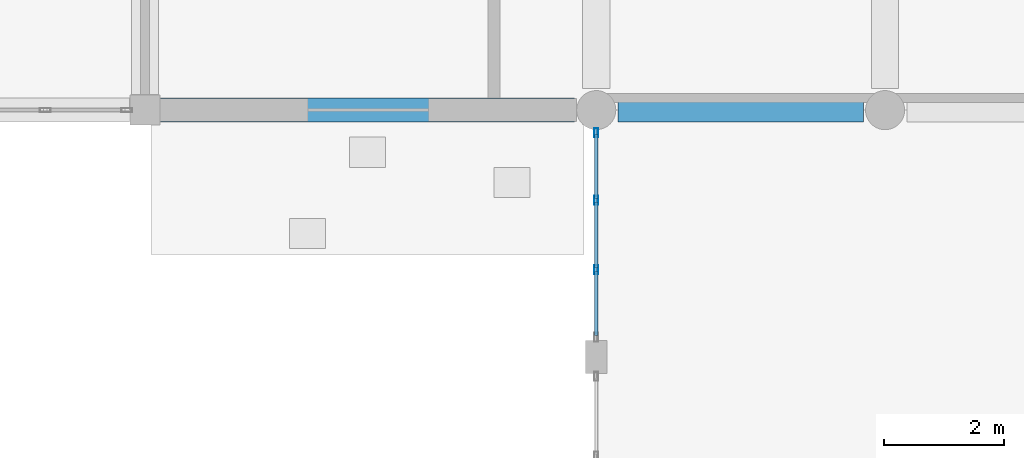
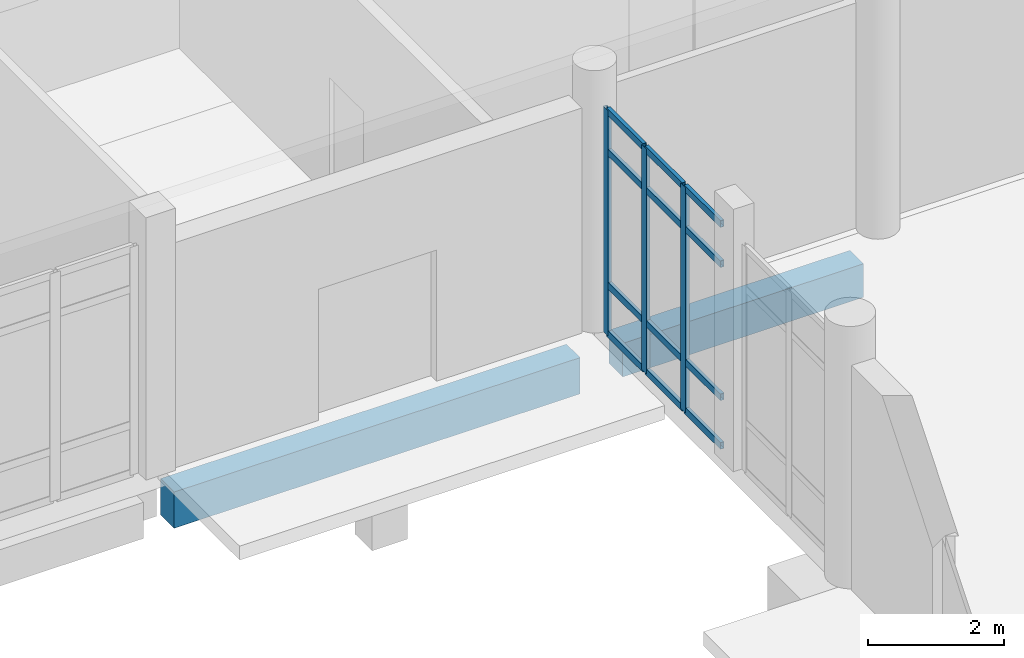
# One storey, part 65 of 173: 15 members, 2 beams, 1 element without a shape of its own.
"""IFC4 building model written with IfcOpenShell, lengths in metres."""

from ifc_helpers import new_model, si_unit, direction, frame, origin, origin_2d, place, context, subcontext, project, spatial, rectangle, hollow_rectangle, extrude, material, layer, layer_set, material_profile, profile_set, type_object, element, aggregate, save


model = new_model("IFC4")

# Units and contexts
model_context = context("Model", 3, precision=1e-05, world=origin(), true_north=direction((0.0, 1.0)))
body_context = subcontext(model_context, "Body", "Model", "MODEL_VIEW")
ifc_project = project(units=[si_unit("LENGTHUNIT", "METRE"), si_unit("AREAUNIT", "SQUARE_METRE"), si_unit("VOLUMEUNIT", "CUBIC_METRE"), si_unit("PLANEANGLEUNIT", "RADIAN"), si_unit("MASSUNIT", "GRAM", prefix="KILO")], contexts=[model_context])

# Site, building, storey
site_placement = place(None, origin())
site = spatial("IfcSite", under=ifc_project, at=site_placement, CompositionType="ELEMENT")
building_placement = place(site_placement, origin())
building = spatial("IfcBuilding", under=site, at=building_placement, Name="Mawjan Specialist Oncology Clinic", CompositionType="ELEMENT")
storey_placement = place(building_placement, origin())
storey = spatial("IfcBuildingStorey", under=building, at=storey_placement, Name="L00", CompositionType="ELEMENT", Elevation=0.0)

# Beam
ifc_material_1 = material(Name="Concrete C40/50", Category="concrete")
ifc_material_profile_1 = material_profile(ifc_material_1, rectangle(XDim=0.39990234375, YDim=0.60009765625, at=origin_2d()), Name="RC BM 400x600", Category="concrete")
ifc_profile_set_1 = profile_set([ifc_material_profile_1], Name="Concrete C40/50")
beam_type_1 = type_object("IfcBeamType", Name="BM-400x600", PredefinedType="BEAM", material=ifc_profile_set_1)
beam_1_placement = place(storey_placement, frame((60.360107421875, 75.800048828125, -0.719970703125), z_axis=(1.0, 0.0, 0.0), x_axis=(0.0, 1.0, 0.0)))
element("IfcBeam", 1, at=beam_1_placement, inside=storey, type_object=beam_type_1, Name="L00 Collector Beam BM-L00-0009", PredefinedType="BEAM", context=body_context, shape_type="SweptSolid", body=[
    extrude(rectangle(XDim=0.39990234375, YDim=0.60009765625, at=origin_2d()), origin(), (0.0, 0.0, 1.0), 4.079833984375),
])

# Curtain wall, members
ifc_material_2 = material(Name="Unitised spectrally selective aluminium curtain wall", Category="aluminium")
ifc_layer = layer(ifc_material_2, 0.179931640625, Name="Unitised spectrally selective aluminium curtain wall", Category="aluminium")
ifc_layer_set = layer_set([ifc_layer], Name="Unitised spectrally selective aluminium curtain wall")
curtain_wall_type = type_object("IfcCurtainWallType", Name="CW-25", PredefinedType="NOTDEFINED", material=ifc_layer_set)
curtain_wall_placement = place(storey_placement, origin())
curtain_wall = element("IfcCurtainWall", 2, at=curtain_wall_placement, inside=storey, type_object=curtain_wall_type, Name="L00 Unitised Curtain Wall CW-L00-043", PredefinedType="NOTDEFINED")
ifc_material_3 = material(Name="Thermally broken aluminium 6063-T6", Category="aluminium")
ifc_material_profile_2 = material_profile(ifc_material_3, hollow_rectangle(XDim=0.06005859375, YDim=0.14990234375, WallThickness=0.00390625, at=origin_2d()), Name="ALU MULLION 150x60x4", Category="aluminium")
ifc_profile_set_2 = profile_set([ifc_material_profile_2], Name="Thermally broken aluminium 6063-T6")
member_type_1 = type_object("IfcMemberType", Name="CW-M150", PredefinedType="MULLION", material=ifc_profile_set_2)
member_1_placement = place(storey_placement, frame((60.0, 73.1484375, 0.0), z_axis=(0.0, 0.0, 1.0), x_axis=(-1.0, 0.0, 0.0)))
member_1 = element("IfcMember", 3, at=member_1_placement, type_object=member_type_1, Name="CW-25 mullion 2", PredefinedType="MULLION", context=body_context, shape_type="SweptSolid", body=[
    extrude(hollow_rectangle(XDim=0.06005859375, YDim=0.14990234375, WallThickness=0.00390625, at=origin_2d()), origin(), (0.0, 0.0, 1.0), 4.034912109375),
])
member_2_placement = place(storey_placement, frame((60.0, 74.3017578125, 0.0), z_axis=(0.0, 0.0, 1.0), x_axis=(-1.0, 0.0, 0.0)))
member_2 = element("IfcMember", 4, at=member_2_placement, type_object=member_type_1, Name="CW-25 mullion 3", PredefinedType="MULLION", context=body_context, shape_type="SweptSolid", body=[
    extrude(hollow_rectangle(XDim=0.06005859375, YDim=0.14990234375, WallThickness=0.00390625, at=origin_2d()), origin(), (0.0, 0.0, 1.0), 4.034912109375),
])
member_3_placement = place(storey_placement, frame((60.0, 75.425048828125, 0.0), z_axis=(0.0, 0.0, 1.0), x_axis=(-1.0, 0.0, 0.0)))
member_3 = element("IfcMember", 5, at=member_3_placement, type_object=member_type_1, Name="CW-25 mullion 4", PredefinedType="MULLION", context=body_context, shape_type="SweptSolid", body=[
    extrude(hollow_rectangle(XDim=0.06005859375, YDim=0.14990234375, WallThickness=0.00390625, at=origin_2d()), origin(), (0.0, 0.0, 1.0), 4.034912109375),
])
ifc_material_4 = material(Name="Thermally broken aluminium 6063-T6", Category="aluminium")
ifc_material_profile_3 = material_profile(ifc_material_4, hollow_rectangle(XDim=0.06005859375, YDim=0.1201171875, WallThickness=0.00390625, at=origin_2d()), Name="ALU TRANSOM 120x60x4", Category="aluminium")
ifc_profile_set_3 = profile_set([ifc_material_profile_3], Name="Thermally broken aluminium 6063-T6")
member_type_2 = type_object("IfcMemberType", Name="CW-T120", PredefinedType="USERDEFINED", material=ifc_profile_set_3)
member_4_placement = place(storey_placement, frame((60.0, 72.054931640625, 0.030029296875), z_axis=(0.0, 1.0, 0.0), x_axis=(-1.0, 0.0, 0.0)))
member_4 = element("IfcMember", 6, at=member_4_placement, type_object=member_type_2, Name="CW-25 transom 1.1", ObjectType="TRANSOM", PredefinedType="USERDEFINED", context=body_context, shape_type="SweptSolid", body=[
    extrude(hollow_rectangle(XDim=0.06005859375, YDim=0.1201171875, WallThickness=0.00390625, at=origin_2d()), origin(), (0.0, 0.0, 1.0), 1.0634765625),
])
member_5_placement = place(storey_placement, frame((60.0, 72.054931640625, 0.89990234375), z_axis=(0.0, 1.0, 0.0), x_axis=(-1.0, 0.0, 0.0)))
member_5 = element("IfcMember", 7, at=member_5_placement, type_object=member_type_2, Name="CW-25 transom 1.2", ObjectType="TRANSOM", PredefinedType="USERDEFINED", context=body_context, shape_type="SweptSolid", body=[
    extrude(hollow_rectangle(XDim=0.06005859375, YDim=0.1201171875, WallThickness=0.00390625, at=origin_2d()), origin(), (0.0, 0.0, 1.0), 1.0634765625),
])
member_6_placement = place(storey_placement, frame((60.0, 72.054931640625, 3.284912109375), z_axis=(0.0, 1.0, 0.0), x_axis=(-1.0, 0.0, 0.0)))
member_6 = element("IfcMember", 8, at=member_6_placement, type_object=member_type_2, Name="CW-25 transom 1.3", ObjectType="TRANSOM", PredefinedType="USERDEFINED", context=body_context, shape_type="SweptSolid", body=[
    extrude(hollow_rectangle(XDim=0.06005859375, YDim=0.1201171875, WallThickness=0.00390625, at=origin_2d()), origin(), (0.0, 0.0, 1.0), 1.0634765625),
])
member_7_placement = place(storey_placement, frame((60.0, 72.054931640625, 4.0048828125), z_axis=(0.0, 1.0, 0.0), x_axis=(-1.0, 0.0, 0.0)))
member_7 = element("IfcMember", 9, at=member_7_placement, type_object=member_type_2, Name="CW-25 transom 1.4", ObjectType="TRANSOM", PredefinedType="USERDEFINED", context=body_context, shape_type="SweptSolid", body=[
    extrude(hollow_rectangle(XDim=0.06005859375, YDim=0.1201171875, WallThickness=0.00390625, at=origin_2d()), origin(), (0.0, 0.0, 1.0), 1.0634765625),
])
member_8_placement = place(storey_placement, frame((60.0, 73.17822265625, 0.030029296875), z_axis=(0.0, 1.0, 0.0), x_axis=(-1.0, 0.0, 0.0)))
member_8 = element("IfcMember", 10, at=member_8_placement, type_object=member_type_2, Name="CW-25 transom 2.1", ObjectType="TRANSOM", PredefinedType="USERDEFINED", context=body_context, shape_type="SweptSolid", body=[
    extrude(hollow_rectangle(XDim=0.06005859375, YDim=0.1201171875, WallThickness=0.00390625, at=origin_2d()), origin(), (0.0, 0.0, 1.0), 1.093505859375),
])
member_9_placement = place(storey_placement, frame((60.0, 73.17822265625, 0.89990234375), z_axis=(0.0, 1.0, 0.0), x_axis=(-1.0, 0.0, 0.0)))
member_9 = element("IfcMember", 11, at=member_9_placement, type_object=member_type_2, Name="CW-25 transom 2.2", ObjectType="TRANSOM", PredefinedType="USERDEFINED", context=body_context, shape_type="SweptSolid", body=[
    extrude(hollow_rectangle(XDim=0.06005859375, YDim=0.1201171875, WallThickness=0.00390625, at=origin_2d()), origin(), (0.0, 0.0, 1.0), 1.093505859375),
])
member_10_placement = place(storey_placement, frame((60.0, 73.17822265625, 3.284912109375), z_axis=(0.0, 1.0, 0.0), x_axis=(-1.0, 0.0, 0.0)))
member_10 = element("IfcMember", 12, at=member_10_placement, type_object=member_type_2, Name="CW-25 transom 2.3", ObjectType="TRANSOM", PredefinedType="USERDEFINED", context=body_context, shape_type="SweptSolid", body=[
    extrude(hollow_rectangle(XDim=0.06005859375, YDim=0.1201171875, WallThickness=0.00390625, at=origin_2d()), origin(), (0.0, 0.0, 1.0), 1.093505859375),
])
member_11_placement = place(storey_placement, frame((60.0, 73.17822265625, 4.0048828125), z_axis=(0.0, 1.0, 0.0), x_axis=(-1.0, 0.0, 0.0)))
member_11 = element("IfcMember", 13, at=member_11_placement, type_object=member_type_2, Name="CW-25 transom 2.4", ObjectType="TRANSOM", PredefinedType="USERDEFINED", context=body_context, shape_type="SweptSolid", body=[
    extrude(hollow_rectangle(XDim=0.06005859375, YDim=0.1201171875, WallThickness=0.00390625, at=origin_2d()), origin(), (0.0, 0.0, 1.0), 1.093505859375),
])
member_12_placement = place(storey_placement, frame((60.0, 74.331787109375, 0.030029296875), z_axis=(0.0, 1.0, 0.0), x_axis=(-1.0, 0.0, 0.0)))
member_12 = element("IfcMember", 14, at=member_12_placement, type_object=member_type_2, Name="CW-25 transom 3.1", ObjectType="TRANSOM", PredefinedType="USERDEFINED", context=body_context, shape_type="SweptSolid", body=[
    extrude(hollow_rectangle(XDim=0.06005859375, YDim=0.1201171875, WallThickness=0.00390625, at=origin_2d()), origin(), (0.0, 0.0, 1.0), 1.063232421875),
])
member_13_placement = place(storey_placement, frame((60.0, 74.331787109375, 0.89990234375), z_axis=(0.0, 1.0, 0.0), x_axis=(-1.0, 0.0, 0.0)))
member_13 = element("IfcMember", 15, at=member_13_placement, type_object=member_type_2, Name="CW-25 transom 3.2", ObjectType="TRANSOM", PredefinedType="USERDEFINED", context=body_context, shape_type="SweptSolid", body=[
    extrude(hollow_rectangle(XDim=0.06005859375, YDim=0.1201171875, WallThickness=0.00390625, at=origin_2d()), origin(), (0.0, 0.0, 1.0), 1.063232421875),
])
member_14_placement = place(storey_placement, frame((60.0, 74.331787109375, 3.284912109375), z_axis=(0.0, 1.0, 0.0), x_axis=(-1.0, 0.0, 0.0)))
member_14 = element("IfcMember", 16, at=member_14_placement, type_object=member_type_2, Name="CW-25 transom 3.3", ObjectType="TRANSOM", PredefinedType="USERDEFINED", context=body_context, shape_type="SweptSolid", body=[
    extrude(hollow_rectangle(XDim=0.06005859375, YDim=0.1201171875, WallThickness=0.00390625, at=origin_2d()), origin(), (0.0, 0.0, 1.0), 1.063232421875),
])
member_15_placement = place(storey_placement, frame((60.0, 74.331787109375, 4.0048828125), z_axis=(0.0, 1.0, 0.0), x_axis=(-1.0, 0.0, 0.0)))
member_15 = element("IfcMember", 17, at=member_15_placement, type_object=member_type_2, Name="CW-25 transom 3.4", ObjectType="TRANSOM", PredefinedType="USERDEFINED", context=body_context, shape_type="SweptSolid", body=[
    extrude(hollow_rectangle(XDim=0.06005859375, YDim=0.1201171875, WallThickness=0.00390625, at=origin_2d()), origin(), (0.0, 0.0, 1.0), 1.063232421875),
])
aggregate(curtain_wall, [member_1, member_2, member_3, member_4, member_5, member_6, member_7, member_8, member_9, member_10, member_11, member_12, member_13, member_14, member_15])

# Beam
ifc_material_5 = material(Name="Concrete C45/55", Category="concrete")
ifc_material_profile_4 = material_profile(ifc_material_5, rectangle(XDim=0.39990234375, YDim=0.64990234375, at=origin_2d()), Name="RC BM 400x650", Category="concrete")
ifc_profile_set_4 = profile_set([ifc_material_profile_4], Name="Concrete C45/55")
beam_type_2 = type_object("IfcBeamType", Name="SP-400x650", PredefinedType="SPANDREL", material=ifc_profile_set_4)
beam_2_placement = place(storey_placement, frame((52.760009765625, 75.800048828125, -0.7451171875), z_axis=(1.0, 0.0, 0.0), x_axis=(0.0, 1.0, 0.0)))
element("IfcBeam", 18, at=beam_2_placement, inside=storey, type_object=beam_type_2, Name="L00 Spandrel Beam BM-L00-0008", PredefinedType="SPANDREL", context=body_context, shape_type="SweptSolid", body=[
    extrude(rectangle(XDim=0.39990234375, YDim=0.64990234375, at=origin_2d()), origin(), (0.0, 0.0, 1.0), 6.8798828125),
])

save(model, "model.ifc")
